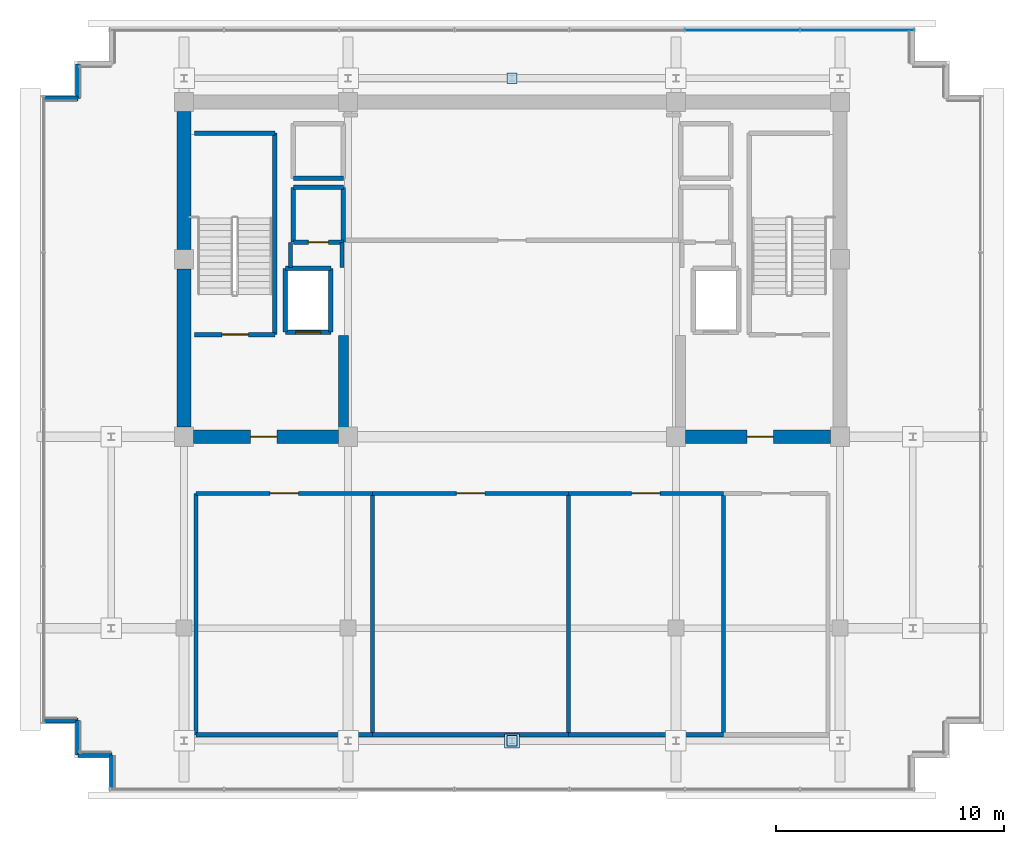
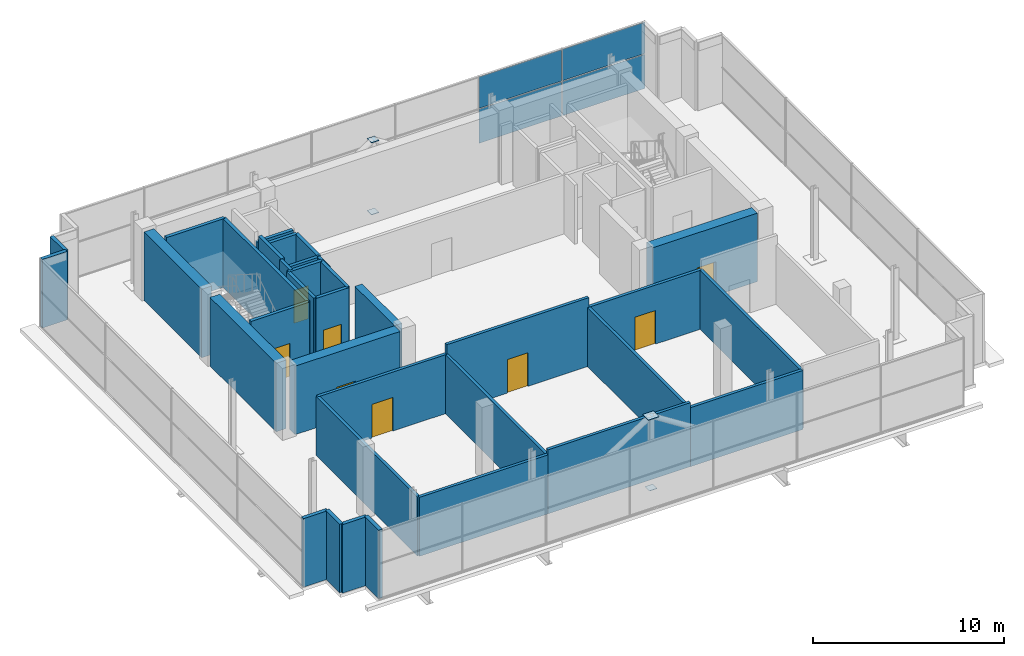
# One storey, part 24 of 28: 35 walls, 8 doors, 8 plates, 8 openings, 1 element without a shape of its own.
"""IFC4 building model written with IfcOpenShell, lengths in metres."""

from ifc_helpers import new_model, si_unit, direction, frame, frame_2d, origin, origin_2d, place, context, subcontext, project, spatial, rectangle, extrude, source, transform, mapped, material, layer, layer_set, type_object, element, fill, aggregate, save


model = new_model("IFC4")

# Units and contexts
model_context = context("Model", 3, precision=1e-05, world=origin(), true_north=direction((0.0, 1.0)))
body_context = subcontext(model_context, "Body", "Model", "MODEL_VIEW")
ifc_project = project(units=[si_unit("LENGTHUNIT", "METRE"), si_unit("AREAUNIT", "SQUARE_METRE"), si_unit("VOLUMEUNIT", "CUBIC_METRE"), si_unit("PLANEANGLEUNIT", "RADIAN"), si_unit("MASSUNIT", "GRAM", prefix="KILO")], contexts=[model_context])

# Site, building, storey
site_placement = place(None, origin())
site = spatial("IfcSite", under=ifc_project, at=site_placement, CompositionType="ELEMENT")
building_placement = place(site_placement, origin())
building = spatial("IfcBuilding", under=site, at=building_placement, Name="Zarnakvel Exchange Tower", CompositionType="ELEMENT")
storey_placement = place(building_placement, frame((0.0, 0.0, 271.60009765625)))
storey = spatial("IfcBuildingStorey", under=building, at=storey_placement, Name="Crown L77", CompositionType="ELEMENT", Elevation=271.60009765625)

# Plates
ifc_material_1 = material(Name="Steel S355", Category="steel")
ifc_layer_1 = layer(ifc_material_1, 0.028076171875)
ifc_layer_set_1 = layer_set([ifc_layer_1], Name="Steel S355")
plate_type_1 = type_object("IfcPlateType", Name="VN3", PredefinedType="USERDEFINED", material=ifc_layer_set_1)
shared_shape_1 = source(origin(), body_context, "Body", "SweptSolid", [
    extrude(rectangle(XDim=0.64990234375, YDim=0.60009765625, at=origin_2d()), origin(), (0.0, 0.0, 1.0), 0.028076171875),
])
plate_1_placement = place(storey_placement, frame((0.0, -14.550048828125, 4.22607421875), z_axis=(0.0, 0.0, 1.0), x_axis=(1.0, 0.0, 0.0)))
element("IfcPlate", 1, at=plate_1_placement, inside=storey, type_object=plate_type_1, Name="Crown L77 Stepped Crown Gusset VN3", ObjectType="GUSSET_PLATE", PredefinedType="USERDEFINED", context=body_context, shape_type="MappedRepresentation", body=[
    mapped(shared_shape_1, transform((0.0, 0.0, 0.0), x_axis=(1.0, 0.0, 0.0), y_axis=(0.0, 1.0, 0.0), z_axis=(0.0, 0.0, 1.0), scale=1.0)),
])
ifc_layer_2 = layer(ifc_material_1, 0.028076171875)
ifc_layer_set_2 = layer_set([ifc_layer_2], Name="Steel S355")
plate_type_2 = type_object("IfcPlateType", Name="BP-02", PredefinedType="USERDEFINED", material=ifc_layer_set_2)
shared_shape_2 = source(origin(), body_context, "Body", "SweptSolid", [
    extrude(rectangle(XDim=0.4599609375, YDim=0.4599609375, at=origin_2d()), origin(), (0.0, 0.0, 1.0), 0.028076171875),
])
for number, where, z_axis, x_axis, name in (
    (2, (0.0, -14.550048828125, -0.3740234375), (0.0, 0.0, 1.0), (1.0, 0.0, 0.0), "Crown L77 Crown Member End Cap Plate"),
    (3, (0.0, 14.550048828125, 4.22607421875), (0.0, 0.0, 1.0), (1.0, 0.0, 0.0), "Crown L77 Crown Member End Cap Plate"),
    (4, (0.0, 14.550048828125, -0.3740234375), (0.0, 0.0, 1.0), (1.0, 0.0, 0.0), "Crown L77 Crown Member End Cap Plate"),
):
    element("IfcPlate", number, at=place(storey_placement, frame(where, z_axis=z_axis, x_axis=x_axis)), inside=storey, type_object=plate_type_2, Name=name, ObjectType="BASE_PLATE", PredefinedType="USERDEFINED", context=body_context, shape_type="MappedRepresentation", body=[
        mapped(shared_shape_2, transform((0.0, 0.0, 0.0), x_axis=(1.0, 0.0, 0.0), y_axis=(0.0, 1.0, 0.0), z_axis=(0.0, 0.0, 1.0), scale=1.0)),
    ])

# Curtain wall, plates
ifc_material_2 = material(Name="Architectural Bronze Anodised Aluminium", Category="aluminium")
ifc_layer_3 = layer(ifc_material_2, 0.14990234375)
ifc_layer_set_3 = layer_set([ifc_layer_3], Name="Architectural Bronze Anodised Aluminium")
curtain_wall_type = type_object("IfcCurtainWallType", Name="CW-07", PredefinedType="NOTDEFINED", material=ifc_layer_set_3)
curtain_wall_placement = place(storey_placement, origin())
curtain_wall = element("IfcCurtainWall", 5, at=curtain_wall_placement, inside=storey, type_object=curtain_wall_type, Name="Crown L77 Curtain Wall CW-Crown L77-N (CW-07)", PredefinedType="NOTDEFINED")
ifc_material_3 = material(Name="Insulated Bronze Aluminium Spandrel Panel", Category="aluminium")
ifc_layer_4 = layer(ifc_material_3, 0.02392578125)
ifc_layer_set_4 = layer_set([ifc_layer_4], Name="Insulated Bronze Aluminium Spandrel Panel")
plate_type_3 = type_object("IfcPlateType", Name="CWP-07", PredefinedType="CURTAIN_PANEL", material=ifc_layer_set_4)
shared_shape_3 = source(origin(), body_context, "Body", "SweptSolid", [
    extrude(rectangle(XDim=4.967041015625, YDim=0.02392578125, at=origin_2d()), origin(), (0.0, 0.0, 1.0), 2.17724609375),
])
plate_2_placement = place(storey_placement, frame((15.156494140625, 16.659912109375, 0.059814453125), z_axis=(0.0, 0.0, 1.0), x_axis=(1.0, 0.0, 0.0)))
plate_2 = element("IfcPlate", 6, at=plate_2_placement, type_object=plate_type_3, Name="CW-07 panel 7.1", PredefinedType="CURTAIN_PANEL", context=body_context, shape_type="MappedRepresentation", body=[
    mapped(shared_shape_3, transform((0.0, 0.0, 0.0), x_axis=(1.0, 0.0, 0.0), y_axis=(0.0, 1.0, 0.0), z_axis=(0.0, 0.0, 1.0), scale=1.0)),
])
shared_shape_4 = source(origin(), body_context, "Body", "SweptSolid", [
    extrude(rectangle(XDim=4.967041015625, YDim=0.02392578125, at=origin_2d()), origin(), (0.0, 0.0, 1.0), 2.002685546875),
])
plate_3_placement = place(storey_placement, frame((15.156494140625, 16.659912109375, 2.29736328125), z_axis=(0.0, 0.0, 1.0), x_axis=(1.0, 0.0, 0.0)))
plate_3 = element("IfcPlate", 7, at=plate_3_placement, type_object=plate_type_3, Name="CW-07 panel 7.2", PredefinedType="CURTAIN_PANEL", context=body_context, shape_type="MappedRepresentation", body=[
    mapped(shared_shape_4, transform((0.0, 0.0, 0.0), x_axis=(1.0, 0.0, 0.0), y_axis=(0.0, 1.0, 0.0), z_axis=(0.0, 0.0, 1.0), scale=1.0)),
])
shared_shape_5 = source(origin(), body_context, "Body", "SweptSolid", [
    extrude(rectangle(XDim=4.9970703125, YDim=0.02392578125, at=origin_2d()), origin(), (0.0, 0.0, 1.0), 2.17724609375),
])
plate_4_placement = place(storey_placement, frame((10.1142578125, 16.659912109375, 0.059814453125), z_axis=(0.0, 0.0, 1.0), x_axis=(1.0, 0.0, 0.0)))
plate_4 = element("IfcPlate", 8, at=plate_4_placement, type_object=plate_type_3, Name="CW-07 panel 6.1", PredefinedType="CURTAIN_PANEL", context=body_context, shape_type="MappedRepresentation", body=[
    mapped(shared_shape_5, transform((0.0, 0.0, 0.0), x_axis=(1.0, 0.0, 0.0), y_axis=(0.0, 1.0, 0.0), z_axis=(0.0, 0.0, 1.0), scale=1.0)),
])
shared_shape_6 = source(origin(), body_context, "Body", "SweptSolid", [
    extrude(rectangle(XDim=4.9970703125, YDim=0.02392578125, at=origin_2d()), origin(), (0.0, 0.0, 1.0), 2.002685546875),
])
plate_5_placement = place(storey_placement, frame((10.1142578125, 16.659912109375, 2.29736328125), z_axis=(0.0, 0.0, 1.0), x_axis=(1.0, 0.0, 0.0)))
plate_5 = element("IfcPlate", 9, at=plate_5_placement, type_object=plate_type_3, Name="CW-07 panel 6.2", PredefinedType="CURTAIN_PANEL", context=body_context, shape_type="MappedRepresentation", body=[
    mapped(shared_shape_6, transform((0.0, 0.0, 0.0), x_axis=(1.0, 0.0, 0.0), y_axis=(0.0, 1.0, 0.0), z_axis=(0.0, 0.0, 1.0), scale=1.0)),
])
aggregate(curtain_wall, [plate_4, plate_5, plate_2, plate_3])

# Walls
ifc_material_4 = material(Name="Concrete C50/60", Category="concrete")
ifc_layer_5 = layer(ifc_material_4, 0.60009765625)
ifc_layer_set_5 = layer_set([ifc_layer_5], Name="Concrete C50/60")
wall_type_1 = type_object("IfcWallType", Name="CW-C5", PredefinedType="SHEAR", material=ifc_layer_set_5)
wall_1_placement = place(storey_placement, frame((-14.39990234375, -0.77490234375, 0.0), z_axis=(0.0, 0.0, 1.0), x_axis=(0.0, 1.0, 0.0)))
element("IfcWall", 10, at=wall_1_placement, inside=storey, type_object=wall_type_1, Name="Crown L77 Rear Core Shear Wall W1 (CW-C5)", PredefinedType="SHEAR", context=body_context, shape_type="SweptSolid", body=[
    extrude(rectangle(XDim=6.949951171875, YDim=0.60009765625, at=frame_2d((3.47509765625, 0.0))), origin(), (0.0, 0.0, 1.0), 4.3798828125),
])
wall_2_placement = place(storey_placement, frame((-14.39990234375, 7.02490234375, 0.0), z_axis=(0.0, 0.0, 1.0), x_axis=(0.0, 1.0, 0.0)))
element("IfcWall", 11, at=wall_2_placement, inside=storey, type_object=wall_type_1, Name="Crown L77 Rear Core Shear Wall W2 (CW-C5)", PredefinedType="SHEAR", context=body_context, shape_type="SweptSolid", body=[
    extrude(rectangle(XDim=6.050048828125, YDim=0.60009765625, at=frame_2d((3.02490234375, 0.0))), origin(), (0.0, 0.0, 1.0), 4.3798828125),
])

# Wall, opening, door
wall_3_placement = place(storey_placement, frame((-7.625, -1.199951171875, 0.0), z_axis=(0.0, 0.0, 1.0), x_axis=(-1.0, 0.0, 0.0)))
wall_3 = element("IfcWall", 12, at=wall_3_placement, inside=storey, type_object=wall_type_1, Name="Crown L77 Rear Core Shear Wall SW (CW-C5)", PredefinedType="SHEAR", context=body_context, shape_type="SweptSolid", body=[
    extrude(rectangle(XDim=6.35009765625, YDim=0.60009765625, at=frame_2d((3.175048828125, 0.0))), origin(), (0.0, 0.0, 1.0), 4.3798828125),
])
opening_1_placement = place(wall_3_placement, frame((2.699951171875, 0.0, 0.0)))
opening_1 = element("IfcOpeningElement", 13, at=opening_1_placement, cuts=wall_3, Name="Opening D-Crown L77-03", PredefinedType="OPENING", context=body_context, shape_type="SweptSolid", body=[
    extrude(rectangle(XDim=1.14990234375, YDim=2.14990234375, at=frame_2d((0.574951171875, 1.074951171875))), frame((0.0, 0.31005859375, 0.0), z_axis=(0.0, -1.0, 0.0), x_axis=(1.0, 0.0, 0.0)), (0.0, 0.0, 1.0), 0.6201171875),
])
ifc_material_5 = material(Name="Painted Galvanised Steel S355", Category="steel")
door_type_1 = type_object("IfcDoorType", Name="DT-04", OperationType="NOTDEFINED", PredefinedType="DOOR", material=ifc_material_5)
shared_shape_7 = source(origin(), body_context, "Body", "SweptSolid", [
    extrude(rectangle(XDim=1.14990234375, YDim=2.14990234375, at=frame_2d((0.574951171875, 1.074951171875))), frame((0.0, 0.02490234375, 0.0), z_axis=(0.0, -1.0, 0.0), x_axis=(1.0, 0.0, 0.0)), (0.0, 0.0, 1.0), 0.050048828125),
])
door_1_placement = place(opening_1_placement, origin())
door_1 = element("IfcDoor", 14, at=door_1_placement, inside=storey, type_object=door_type_1, Name="Crown L77 Firefighting Lobby West Door D-Crown L77-03", OperationType="SINGLE_SWING_LEFT", OverallHeight=2.14990234375, OverallWidth=1.14990234375, PredefinedType="DOOR", context=body_context, shape_type="MappedRepresentation", body=[
    mapped(shared_shape_7, transform((0.0, 0.0, 0.0), x_axis=(1.0, 0.0, 0.0), y_axis=(0.0, 1.0, 0.0), z_axis=(0.0, 0.0, 1.0), scale=1.0)),
])
fill(opening_1, door_1)

wall_4_placement = place(storey_placement, frame((13.97509765625, -1.199951171875, 0.0), z_axis=(0.0, 0.0, 1.0), x_axis=(-1.0, 0.0, 0.0)))
wall_4 = element("IfcWall", 15, at=wall_4_placement, inside=storey, type_object=wall_type_1, Name="Crown L77 Rear Core Shear Wall SE (CW-C5)", PredefinedType="SHEAR", context=body_context, shape_type="SweptSolid", body=[
    extrude(rectangle(XDim=6.35009765625, YDim=0.60009765625, at=frame_2d((3.175048828125, 0.0))), origin(), (0.0, 0.0, 1.0), 4.3798828125),
])
opening_2_placement = place(wall_4_placement, frame((2.5, 0.0, 0.0)))
opening_2 = element("IfcOpeningElement", 16, at=opening_2_placement, cuts=wall_4, Name="Opening D-Crown L77-04", PredefinedType="OPENING", context=body_context, shape_type="SweptSolid", body=[
    extrude(rectangle(XDim=1.14990234375, YDim=2.14990234375, at=frame_2d((0.574951171875, 1.074951171875))), frame((0.0, 0.31005859375, 0.0), z_axis=(0.0, -1.0, 0.0), x_axis=(1.0, 0.0, 0.0)), (0.0, 0.0, 1.0), 0.6201171875),
])
door_2_placement = place(opening_2_placement, origin())
door_2 = element("IfcDoor", 17, at=door_2_placement, inside=storey, type_object=door_type_1, Name="Crown L77 Firefighting Lobby East Door D-Crown L77-04", OperationType="SINGLE_SWING_RIGHT", OverallHeight=2.14990234375, OverallWidth=1.14990234375, PredefinedType="DOOR", context=body_context, shape_type="MappedRepresentation", body=[
    mapped(shared_shape_7, transform((0.0, 0.0, 0.0), x_axis=(1.0, 0.0, 0.0), y_axis=(0.0, 1.0, 0.0), z_axis=(0.0, 0.0, 1.0), scale=1.0)),
])
fill(opening_2, door_2)

# Walls
ifc_layer_6 = layer(ifc_material_4, 0.449951171875)
ifc_layer_set_6 = layer_set([ifc_layer_6], Name="Concrete C50/60")
wall_type_2 = type_object("IfcWallType", Name="CW-C6", PredefinedType="SHEAR", material=ifc_layer_set_6)
wall_5_placement = place(storey_placement, frame((-7.39990234375, -0.89990234375, 0.0), z_axis=(0.0, 0.0, 1.0), x_axis=(0.0, 1.0, 0.0)))
element("IfcWall", 18, at=wall_5_placement, inside=storey, type_object=wall_type_2, Name="Crown L77 Rear Core Shear Wall IW (CW-C6)", PredefinedType="SHEAR", context=body_context, shape_type="SweptSolid", body=[
    extrude(rectangle(XDim=4.14990234375, YDim=0.449951171875, at=frame_2d((2.074951171875, 0.0))), origin(), (0.0, 0.0, 1.0), 4.3798828125),
])
ifc_material_6 = material(Name="Precast concrete C40/50", Category="concrete")
ifc_layer_7 = layer(ifc_material_6, 0.219970703125)
ifc_layer_set_7 = layer_set([ifc_layer_7], Name="Precast concrete C40/50")
wall_type_3 = type_object("IfcWallType", Name="EW-03", PredefinedType="SOLIDWALL", material=ifc_layer_set_7)
for number, where, z_axis, x_axis, name in (
    (19, (-19.06005859375, 13.659912109375, 0.0), (0.0, 0.0, 1.0), (-1.0, 0.0, 0.0), "Crown L77 Exterior Precast Spandrel Wall EW-Crown L77-C02 (EW-03)"),
    (20, (-19.06005859375, 15.159912109375, 0.0), (0.0, 0.0, 1.0), (0.0, -1.0, 0.0), "Crown L77 Exterior Precast Spandrel Wall EW-Crown L77-C03 (EW-03)"),
    (21, (-17.56005859375, -15.159912109375, 0.0), (0.0, 0.0, 1.0), (0.0, -1.0, 0.0), "Crown L77 Exterior Precast Spandrel Wall EW-Crown L77-C17 (EW-03)"),
    (22, (-19.06005859375, -15.159912109375, 0.0), (0.0, 0.0, 1.0), (1.0, 0.0, 0.0), "Crown L77 Exterior Precast Spandrel Wall EW-Crown L77-C18 (EW-03)"),
    (23, (-19.06005859375, -13.659912109375, 0.0), (0.0, 0.0, 1.0), (0.0, -1.0, 0.0), "Crown L77 Exterior Precast Spandrel Wall EW-Crown L77-C19 (EW-03)"),
    (24, (-20.56005859375, -13.659912109375, 0.0), (0.0, 0.0, 1.0), (1.0, 0.0, 0.0), "Crown L77 Exterior Precast Spandrel Wall EW-Crown L77-C20 (EW-03)"),
):
    element("IfcWall", number, at=place(storey_placement, frame(where, z_axis=z_axis, x_axis=x_axis)), inside=storey, type_object=wall_type_3, Name=name, PredefinedType="SOLIDWALL", context=body_context, shape_type="SweptSolid", body=[
        extrude(rectangle(XDim=1.5, YDim=0.219970703125, at=frame_2d((0.75, 0.0))), origin(), (0.0, 0.0, 1.0), 4.3798828125),
    ])
ifc_material_7 = material(Name="Fire-Rated Gypsum Stud Partition", Category="gypsum")
ifc_layer_8 = layer(ifc_material_7, 0.179931640625)
ifc_layer_set_8 = layer_set([ifc_layer_8], Name="Fire-Rated Gypsum Stud Partition")
wall_type_4 = type_object("IfcWallType", Name="PT-02", PredefinedType="PARTITIONING", material=ifc_layer_set_8)
wall_6_placement = place(storey_placement, frame((-9.72998046875, 6.239990234375, 0.0), z_axis=(0.0, 0.0, 1.0), x_axis=(0.0, 1.0, 0.0)))
element("IfcWall", 25, at=wall_6_placement, inside=storey, type_object=wall_type_4, Name="Crown L77 Partition Wall PWALL-Crown L77-010 (PT-02)", PredefinedType="PARTITIONING", context=body_context, shape_type="SweptSolid", body=[
    extrude(rectangle(XDim=1.090087890625, YDim=0.179931640625, at=frame_2d((0.544921875, 0.0))), origin(), (0.0, 0.0, 1.0), 4.3798828125),
])
wall_7_placement = place(storey_placement, frame((-7.469970703125, 7.330078125, 0.0), z_axis=(0.0, 0.0, 1.0), x_axis=(0.0, -1.0, 0.0)))
element("IfcWall", 26, at=wall_7_placement, inside=storey, type_object=wall_type_4, Name="Crown L77 Partition Wall PWALL-Crown L77-011 (PT-02)", PredefinedType="PARTITIONING", context=body_context, shape_type="SweptSolid", body=[
    extrude(rectangle(XDim=1.090087890625, YDim=0.179931640625, at=frame_2d((0.544921875, 0.0))), origin(), (0.0, 0.0, 1.0), 3.77001953125),
])
wall_8_placement = place(storey_placement, frame((-6.1201171875, -14.280029296875, 0.0), z_axis=(0.0, 0.0, 1.0), x_axis=(-1.0, 0.0, 0.0)))
element("IfcWall", 27, at=wall_8_placement, inside=storey, type_object=wall_type_4, Name="Crown L77 Partition Wall PWALL-Crown L77-014 (PT-02)", PredefinedType="PARTITIONING", context=body_context, shape_type="SweptSolid", body=[
    extrude(rectangle(XDim=7.759765625, YDim=0.179931640625, at=frame_2d((3.8798828125, 0.0))), origin(), (0.0, 0.0, 1.0), 3.77001953125),
])

# Wall, opening, door
wall_9_placement = place(storey_placement, frame((-13.8798828125, -3.679931640625, 0.0), z_axis=(0.0, 0.0, 1.0), x_axis=(1.0, 0.0, 0.0)))
wall_9 = element("IfcWall", 28, at=wall_9_placement, inside=storey, type_object=wall_type_4, Name="Crown L77 Partition Wall PWALL-Crown L77-015 (PT-02)", PredefinedType="PARTITIONING", context=body_context, shape_type="SweptSolid", body=[
    extrude(rectangle(XDim=7.759765625, YDim=0.179931640625, at=frame_2d((3.8798828125, 0.0))), origin(), (0.0, 0.0, 1.0), 3.77001953125),
])
opening_3_placement = place(wall_9_placement, frame((3.2548828125, 0.0, 0.0)))
opening_3 = element("IfcOpeningElement", 29, at=opening_3_placement, cuts=wall_9, Name="Opening D-Crown L77-06", PredefinedType="OPENING", context=body_context, shape_type="SweptSolid", body=[
    extrude(rectangle(XDim=1.25, YDim=2.14990234375, at=frame_2d((0.625, 1.074951171875))), frame((0.0, 0.099853515625, 0.0), z_axis=(0.0, -1.0, 0.0), x_axis=(1.0, 0.0, 0.0)), (0.0, 0.0, 1.0), 0.199951171875),
])
door_type_2 = type_object("IfcDoorType", Name="DT-06", OperationType="NOTDEFINED", PredefinedType="DOOR", material=ifc_material_5)
shared_shape_8 = source(origin(), body_context, "Body", "SweptSolid", [
    extrude(rectangle(XDim=1.25, YDim=2.14990234375, at=frame_2d((0.625, 1.074951171875))), frame((0.0, 0.02490234375, 0.0), z_axis=(0.0, -1.0, 0.0), x_axis=(1.0, 0.0, 0.0)), (0.0, 0.0, 1.0), 0.050048828125),
])
door_3_placement = place(opening_3_placement, origin())
door_3 = element("IfcDoor", 30, at=door_3_placement, inside=storey, type_object=door_type_2, Name="Crown L77 Centrifugal Chiller Plant Room Door D-Crown L77-06", OperationType="SINGLE_SWING_RIGHT", OverallHeight=2.14990234375, OverallWidth=1.25, PredefinedType="DOOR", context=body_context, shape_type="MappedRepresentation", body=[
    mapped(shared_shape_8, transform((0.0, 0.0, 0.0), x_axis=(1.0, 0.0, 0.0), y_axis=(0.0, 1.0, 0.0), z_axis=(0.0, 0.0, 1.0), scale=1.0)),
])
fill(opening_3, door_3)

# Walls
for number, where, z_axis, x_axis, name in (
    (31, (-13.8798828125, -14.280029296875, 0.0), (0.0, 0.0, 1.0), (0.0, 1.0, 0.0), "Crown L77 Partition Wall PWALL-Crown L77-016 (PT-02)"),
    (32, (-6.1201171875, -3.679931640625, 0.0), (0.0, 0.0, 1.0), (0.0, -1.0, 0.0), "Crown L77 Partition Wall PWALL-Crown L77-017 (PT-02)"),
):
    element("IfcWall", number, at=place(storey_placement, frame(where, z_axis=z_axis, x_axis=x_axis)), inside=storey, type_object=wall_type_4, Name=name, PredefinedType="PARTITIONING", context=body_context, shape_type="SweptSolid", body=[
        extrude(rectangle(XDim=10.60009765625, YDim=0.179931640625, at=frame_2d((5.300048828125, 0.0))), origin(), (0.0, 0.0, 1.0), 3.77001953125),
    ])
wall_10_placement = place(storey_placement, frame((2.47998046875, -14.280029296875, 0.0), z_axis=(0.0, 0.0, 1.0), x_axis=(-1.0, 0.0, 0.0)))
element("IfcWall", 33, at=wall_10_placement, inside=storey, type_object=wall_type_4, Name="Crown L77 Partition Wall PWALL-Crown L77-018 (PT-02)", PredefinedType="PARTITIONING", context=body_context, shape_type="SweptSolid", body=[
    extrude(rectangle(XDim=8.60009765625, YDim=0.179931640625, at=frame_2d((4.300048828125, 0.0))), origin(), (0.0, 0.0, 1.0), 4.08984375),
])

# Wall, opening, door
wall_11_placement = place(storey_placement, frame((-6.1201171875, -3.679931640625, 0.0), z_axis=(0.0, 0.0, 1.0), x_axis=(1.0, 0.0, 0.0)))
wall_11 = element("IfcWall", 34, at=wall_11_placement, inside=storey, type_object=wall_type_4, Name="Crown L77 Partition Wall PWALL-Crown L77-019 (PT-02)", PredefinedType="PARTITIONING", context=body_context, shape_type="SweptSolid", body=[
    extrude(rectangle(XDim=8.60009765625, YDim=0.179931640625, at=frame_2d((4.300048828125, 0.0))), origin(), (0.0, 0.0, 1.0), 4.3798828125),
])
opening_4_placement = place(wall_11_placement, frame((3.675048828125, 0.0, 0.0)))
opening_4 = element("IfcOpeningElement", 35, at=opening_4_placement, cuts=wall_11, Name="Opening D-Crown L77-07", PredefinedType="OPENING", context=body_context, shape_type="SweptSolid", body=[
    extrude(rectangle(XDim=1.25, YDim=2.14990234375, at=frame_2d((0.625, 1.074951171875))), frame((0.0, 0.099853515625, 0.0), z_axis=(0.0, -1.0, 0.0), x_axis=(1.0, 0.0, 0.0)), (0.0, 0.0, 1.0), 0.199951171875),
])
door_4_placement = place(opening_4_placement, origin())
door_4 = element("IfcDoor", 36, at=door_4_placement, inside=storey, type_object=door_type_2, Name="Crown L77 Cooling Tower Basin Room Door D-Crown L77-07", OperationType="SINGLE_SWING_LEFT", OverallHeight=2.14990234375, OverallWidth=1.25, PredefinedType="DOOR", context=body_context, shape_type="MappedRepresentation", body=[
    mapped(shared_shape_8, transform((0.0, 0.0, 0.0), x_axis=(1.0, 0.0, 0.0), y_axis=(0.0, 1.0, 0.0), z_axis=(0.0, 0.0, 1.0), scale=1.0)),
])
fill(opening_4, door_4)

# Walls
wall_12_placement = place(storey_placement, frame((2.47998046875, -3.679931640625, 0.0), z_axis=(0.0, 0.0, 1.0), x_axis=(0.0, -1.0, 0.0)))
element("IfcWall", 37, at=wall_12_placement, inside=storey, type_object=wall_type_4, Name="Crown L77 Partition Wall PWALL-Crown L77-020 (PT-02)", PredefinedType="PARTITIONING", context=body_context, shape_type="SweptSolid", body=[
    extrude(rectangle(XDim=10.60009765625, YDim=0.179931640625, at=frame_2d((5.300048828125, 0.0))), origin(), (0.0, 0.0, 1.0), 3.77001953125),
])
wall_13_placement = place(storey_placement, frame((9.280029296875, -14.280029296875, 0.0), z_axis=(0.0, 0.0, 1.0), x_axis=(-1.0, 0.0, 0.0)))
element("IfcWall", 38, at=wall_13_placement, inside=storey, type_object=wall_type_4, Name="Crown L77 Partition Wall PWALL-Crown L77-021 (PT-02)", PredefinedType="PARTITIONING", context=body_context, shape_type="SweptSolid", body=[
    extrude(rectangle(XDim=6.800048828125, YDim=0.179931640625, at=frame_2d((3.39990234375, 0.0))), origin(), (0.0, 0.0, 1.0), 3.77001953125),
])

# Wall, opening, door
wall_14_placement = place(storey_placement, frame((2.47998046875, -3.679931640625, 0.0), z_axis=(0.0, 0.0, 1.0), x_axis=(1.0, 0.0, 0.0)))
wall_14 = element("IfcWall", 39, at=wall_14_placement, inside=storey, type_object=wall_type_4, Name="Crown L77 Partition Wall PWALL-Crown L77-022 (PT-02)", PredefinedType="PARTITIONING", context=body_context, shape_type="SweptSolid", body=[
    extrude(rectangle(XDim=6.800048828125, YDim=0.179931640625, at=frame_2d((3.39990234375, 0.0))), origin(), (0.0, 0.0, 1.0), 3.77001953125),
])
opening_5_placement = place(wall_14_placement, frame((2.77490234375, 0.0, 0.0)))
opening_5 = element("IfcOpeningElement", 40, at=opening_5_placement, cuts=wall_14, Name="Opening D-Crown L77-08", PredefinedType="OPENING", context=body_context, shape_type="SweptSolid", body=[
    extrude(rectangle(XDim=1.25, YDim=2.14990234375, at=frame_2d((0.625, 1.074951171875))), frame((0.0, 0.099853515625, 0.0), z_axis=(0.0, -1.0, 0.0), x_axis=(1.0, 0.0, 0.0)), (0.0, 0.0, 1.0), 0.199951171875),
])
door_5_placement = place(opening_5_placement, origin())
door_5 = element("IfcDoor", 41, at=door_5_placement, inside=storey, type_object=door_type_2, Name="Crown L77 Crown HV Switchgear Room Door D-Crown L77-08", OperationType="SINGLE_SWING_RIGHT", OverallHeight=2.14990234375, OverallWidth=1.25, PredefinedType="DOOR", context=body_context, shape_type="MappedRepresentation", body=[
    mapped(shared_shape_8, transform((0.0, 0.0, 0.0), x_axis=(1.0, 0.0, 0.0), y_axis=(0.0, 1.0, 0.0), z_axis=(0.0, 0.0, 1.0), scale=1.0)),
])
fill(opening_5, door_5)

# Wall
wall_15_placement = place(storey_placement, frame((9.280029296875, -3.679931640625, 0.0), z_axis=(0.0, 0.0, 1.0), x_axis=(0.0, -1.0, 0.0)))
element("IfcWall", 42, at=wall_15_placement, inside=storey, type_object=wall_type_4, Name="Crown L77 Partition Wall PWALL-Crown L77-023 (PT-02)", PredefinedType="PARTITIONING", context=body_context, shape_type="SweptSolid", body=[
    extrude(rectangle(XDim=10.60009765625, YDim=0.179931640625, at=frame_2d((5.300048828125, 0.0))), origin(), (0.0, 0.0, 1.0), 3.77001953125),
])

# Wall, opening, door
ifc_material_8 = material(Name="Concrete C40/50", Category="concrete")
ifc_layer_9 = layer(ifc_material_8, 0.199951171875)
ifc_layer_set_9 = layer_set([ifc_layer_9], Name="Concrete C40/50")
wall_type_5 = type_object("IfcWallType", Name="SW-01", PredefinedType="SOLIDWALL", material=ifc_layer_set_9)
wall_16_placement = place(storey_placement, frame((-7.949951171875, 3.39990234375, 0.0), z_axis=(0.0, 0.0, 1.0), x_axis=(-1.0, 0.0, 0.0)))
wall_16 = element("IfcWall", 43, at=wall_16_placement, inside=storey, type_object=wall_type_5, Name="Crown L77 FL-01 Hoistway Wall South", PredefinedType="SOLIDWALL", context=body_context, shape_type="SweptSolid", body=[
    extrude(rectangle(XDim=2.0, YDim=0.199951171875, at=frame_2d((1.0, 0.0))), origin(), (0.0, 0.0, 1.0), 4.3798828125),
])
opening_6_placement = place(wall_16_placement, frame((0.449951171875, 0.0, 0.0)))
opening_6 = element("IfcOpeningElement", 44, at=opening_6_placement, cuts=wall_16, Name="Opening LD-FL-01-Crown L77", PredefinedType="OPENING", context=body_context, shape_type="SweptSolid", body=[
    extrude(rectangle(XDim=1.10009765625, YDim=2.199951171875, at=frame_2d((0.550048828125, 1.10009765625))), frame((0.0, 0.10986328125, 0.0), z_axis=(0.0, -1.0, 0.0), x_axis=(1.0, 0.0, 0.0)), (0.0, 0.0, 1.0), 0.219970703125),
])
ifc_material_9 = material(Name="Brushed Stainless Steel", Category="steel")
door_type_3 = type_object("IfcDoorType", Name="LDT-01", OperationType="NOTDEFINED", PredefinedType="DOOR", material=ifc_material_9)
shared_shape_9 = source(origin(), body_context, "Body", "SweptSolid", [
    extrude(rectangle(XDim=1.10009765625, YDim=2.199951171875, at=frame_2d((0.550048828125, 1.10009765625))), frame((0.0, 0.02490234375, 0.0), z_axis=(0.0, -1.0, 0.0), x_axis=(1.0, 0.0, 0.0)), (0.0, 0.0, 1.0), 0.050048828125),
])
door_6_placement = place(opening_6_placement, origin())
door_6 = element("IfcDoor", 45, at=door_6_placement, inside=storey, type_object=door_type_3, Name="Crown L77 FL-01 Lift Landing Door LD-FL-01-Crown L77", OperationType="DOUBLE_DOOR_SLIDING", OverallHeight=2.199951171875, OverallWidth=1.10009765625, PredefinedType="DOOR", context=body_context, shape_type="MappedRepresentation", body=[
    mapped(shared_shape_9, transform((0.0, 0.0, 0.0), x_axis=(1.0, 0.0, 0.0), y_axis=(0.0, 1.0, 0.0), z_axis=(0.0, 0.0, 1.0), scale=1.0)),
])
fill(opening_6, door_6)

# Walls
wall_17_placement = place(storey_placement, frame((-9.949951171875, 6.199951171875, 0.0), z_axis=(0.0, 0.0, 1.0), x_axis=(1.0, 0.0, 0.0)))
element("IfcWall", 46, at=wall_17_placement, inside=storey, type_object=wall_type_5, Name="Crown L77 FL-01 Hoistway Wall North", PredefinedType="SOLIDWALL", context=body_context, shape_type="SweptSolid", body=[
    extrude(rectangle(XDim=2.0, YDim=0.199951171875, at=frame_2d((1.0, 0.0))), origin(), (0.0, 0.0, 1.0), 4.3798828125),
])
for number, where, z_axis, x_axis, name in (
    (47, (-9.949951171875, 3.39990234375, 0.0), (0.0, 0.0, 1.0), (0.0, 1.0, 0.0), "Crown L77 FL-01 Hoistway Wall West"),
    (48, (-7.949951171875, 6.199951171875, 0.0), (0.0, 0.0, 1.0), (0.0, -1.0, 0.0), "Crown L77 FL-01 Hoistway Wall East"),
):
    element("IfcWall", number, at=place(storey_placement, frame(where, z_axis=z_axis, x_axis=x_axis)), inside=storey, type_object=wall_type_5, Name=name, PredefinedType="SOLIDWALL", context=body_context, shape_type="SweptSolid", body=[
        extrude(rectangle(XDim=2.800048828125, YDim=0.199951171875, at=frame_2d((1.39990234375, 0.0))), origin(), (0.0, 0.0, 1.0), 4.3798828125),
    ])

# Wall, opening, door
wall_18_placement = place(storey_placement, frame((-7.39990234375, 7.35009765625, 0.0), z_axis=(0.0, 0.0, 1.0), x_axis=(-1.0, 0.0, 0.0)))
wall_18 = element("IfcWall", 49, at=wall_18_placement, inside=storey, type_object=wall_type_5, Name="Crown L77 PL-09 Hoistway Wall South", PredefinedType="SOLIDWALL", context=body_context, shape_type="SweptSolid", body=[
    extrude(rectangle(XDim=2.2001953125, YDim=0.199951171875, at=frame_2d((1.10009765625, 0.0))), origin(), (0.0, 0.0, 1.0), 3.77001953125),
])
opening_7_placement = place(wall_18_placement, frame((0.659912109375, 0.0, 0.0)))
opening_7 = element("IfcOpeningElement", 50, at=opening_7_placement, cuts=wall_18, Name="Opening D-Crown L77-10", PredefinedType="OPENING", context=body_context, shape_type="SweptSolid", body=[
    extrude(rectangle(XDim=0.8798828125, YDim=2.10009765625, at=frame_2d((0.43994140625, 1.050048828125))), frame((0.0, 0.10986328125, 0.0), z_axis=(0.0, -1.0, 0.0), x_axis=(1.0, 0.0, 0.0)), (0.0, 0.0, 1.0), 0.219970703125),
])
door_type_4 = type_object("IfcDoorType", Name="DT-08", OperationType="NOTDEFINED", PredefinedType="DOOR", material=ifc_material_5)
shared_shape_10 = source(origin(), body_context, "Body", "SweptSolid", [
    extrude(rectangle(XDim=0.8798828125, YDim=2.10009765625, at=frame_2d((0.43994140625, 1.050048828125))), frame((0.0, 0.02490234375, 0.0), z_axis=(0.0, -1.0, 0.0), x_axis=(1.0, 0.0, 0.0)), (0.0, 0.0, 1.0), 0.050048828125),
])
door_7_placement = place(opening_7_placement, origin())
door_7 = element("IfcDoor", 51, at=door_7_placement, inside=storey, type_object=door_type_4, Name="Crown L77 Electrical Riser Door D-Crown L77-10", OperationType="SINGLE_SWING_RIGHT", OverallHeight=2.10009765625, OverallWidth=0.8798828125, PredefinedType="DOOR", context=body_context, shape_type="MappedRepresentation", body=[
    mapped(shared_shape_10, transform((0.0, 0.0, 0.0), x_axis=(1.0, 0.0, 0.0), y_axis=(0.0, 1.0, 0.0), z_axis=(0.0, 0.0, 1.0), scale=1.0)),
])
fill(opening_7, door_7)

# Walls
wall_19_placement = place(storey_placement, frame((-9.60009765625, 9.75, 0.0), z_axis=(0.0, 0.0, 1.0), x_axis=(1.0, 0.0, 0.0)))
element("IfcWall", 52, at=wall_19_placement, inside=storey, type_object=wall_type_5, Name="Crown L77 PL-09 Hoistway Wall North", PredefinedType="SOLIDWALL", context=body_context, shape_type="SweptSolid", body=[
    extrude(rectangle(XDim=2.2001953125, YDim=0.199951171875, at=frame_2d((1.10009765625, 0.0))), origin(), (0.0, 0.0, 1.0), 3.77001953125),
])
wall_20_placement = place(storey_placement, frame((-9.60009765625, 7.35009765625, 0.0), z_axis=(0.0, 0.0, 1.0), x_axis=(0.0, 1.0, 0.0)))
element("IfcWall", 53, at=wall_20_placement, inside=storey, type_object=wall_type_5, Name="Crown L77 PL-09 Hoistway Wall West", PredefinedType="SOLIDWALL", context=body_context, shape_type="SweptSolid", body=[
    extrude(rectangle(XDim=2.39990234375, YDim=0.199951171875, at=frame_2d((1.199951171875, 0.0))), origin(), (0.0, 0.0, 1.0), 4.3798828125),
])
wall_21_placement = place(storey_placement, frame((-7.39990234375, 9.75, 0.0), z_axis=(0.0, 0.0, 1.0), x_axis=(0.0, -1.0, 0.0)))
element("IfcWall", 54, at=wall_21_placement, inside=storey, type_object=wall_type_5, Name="Crown L77 PL-09 Hoistway Wall East", PredefinedType="SOLIDWALL", context=body_context, shape_type="SweptSolid", body=[
    extrude(rectangle(XDim=2.39990234375, YDim=0.199951171875, at=frame_2d((1.199951171875, 0.0))), origin(), (0.0, 0.0, 1.0), 3.77001953125),
])
wall_22_placement = place(storey_placement, frame((-7.39990234375, 10.14990234375, 0.0), z_axis=(0.0, 0.0, 1.0), x_axis=(-1.0, 0.0, 0.0)))
element("IfcWall", 55, at=wall_22_placement, inside=storey, type_object=wall_type_5, Name="Crown L77 PL-10 Hoistway Wall South", PredefinedType="SOLIDWALL", context=body_context, shape_type="SweptSolid", body=[
    extrude(rectangle(XDim=2.2001953125, YDim=0.199951171875, at=frame_2d((1.10009765625, 0.0))), origin(), (0.0, 0.0, 1.0), 3.77001953125),
])

# Wall, opening, door
ifc_layer_10 = layer(ifc_material_8, 0.199951171875)
ifc_layer_set_10 = layer_set([ifc_layer_10], Name="Concrete C40/50")
wall_type_6 = type_object("IfcWallType", Name="SW-02", PredefinedType="SOLIDWALL", material=ifc_layer_set_10)
wall_23_placement = place(storey_placement, frame((-10.409912109375, 3.2900390625, 0.0), z_axis=(0.0, 0.0, 1.0), x_axis=(-1.0, 0.0, 0.0)))
wall_23 = element("IfcWall", 56, at=wall_23_placement, inside=storey, type_object=wall_type_6, Name="Crown L77 Stairwell Core Wall PWALL-Crown L77-001 (SW-02)", PredefinedType="SOLIDWALL", context=body_context, shape_type="SweptSolid", body=[
    extrude(rectangle(XDim=3.52001953125, YDim=0.199951171875, at=frame_2d((1.760009765625, 0.0))), origin(), (0.0, 0.0, 1.0), 4.3798828125),
])
opening_8_placement = place(wall_23_placement, frame((1.1650390625, 0.0, 0.0)))
opening_8 = element("IfcOpeningElement", 57, at=opening_8_placement, cuts=wall_23, Name="Opening D-Crown L77-01", PredefinedType="OPENING", context=body_context, shape_type="SweptSolid", body=[
    extrude(rectangle(XDim=1.14990234375, YDim=2.14990234375, at=frame_2d((0.574951171875, 1.074951171875))), frame((0.0, 0.10986328125, 0.0), z_axis=(0.0, -1.0, 0.0), x_axis=(1.0, 0.0, 0.0)), (0.0, 0.0, 1.0), 0.219970703125),
])
door_8_placement = place(opening_8_placement, origin())
door_8 = element("IfcDoor", 58, at=door_8_placement, inside=storey, type_object=door_type_1, Name="Crown L77 Stairwell ST-01 Door D-Crown L77-01", OperationType="SINGLE_SWING_LEFT", OverallHeight=2.14990234375, OverallWidth=1.14990234375, PredefinedType="DOOR", context=body_context, shape_type="MappedRepresentation", body=[
    mapped(shared_shape_7, transform((0.0, 0.0, 0.0), x_axis=(1.0, 0.0, 0.0), y_axis=(0.0, 1.0, 0.0), z_axis=(0.0, 0.0, 1.0), scale=1.0)),
])
fill(opening_8, door_8)

# Walls
wall_24_placement = place(storey_placement, frame((-13.929931640625, 12.1298828125, 0.0), z_axis=(0.0, 0.0, 1.0), x_axis=(1.0, 0.0, 0.0)))
element("IfcWall", 59, at=wall_24_placement, inside=storey, type_object=wall_type_6, Name="Crown L77 Stairwell Core Wall PWALL-Crown L77-002 (SW-02)", PredefinedType="SOLIDWALL", context=body_context, shape_type="SweptSolid", body=[
    extrude(rectangle(XDim=3.52001953125, YDim=0.199951171875, at=frame_2d((1.760009765625, 0.0))), origin(), (0.0, 0.0, 1.0), 4.3798828125),
])
wall_25_placement = place(storey_placement, frame((-10.409912109375, 12.1298828125, 0.0), z_axis=(0.0, 0.0, 1.0), x_axis=(0.0, -1.0, 0.0)))
element("IfcWall", 60, at=wall_25_placement, inside=storey, type_object=wall_type_6, Name="Crown L77 Stairwell Core Wall PWALL-Crown L77-003 (SW-02)", PredefinedType="SOLIDWALL", context=body_context, shape_type="SweptSolid", body=[
    extrude(rectangle(XDim=8.83984375, YDim=0.199951171875, at=frame_2d((4.419921875, 0.0))), origin(), (0.0, 0.0, 1.0), 4.3798828125),
])

save(model, "model.ifc")
